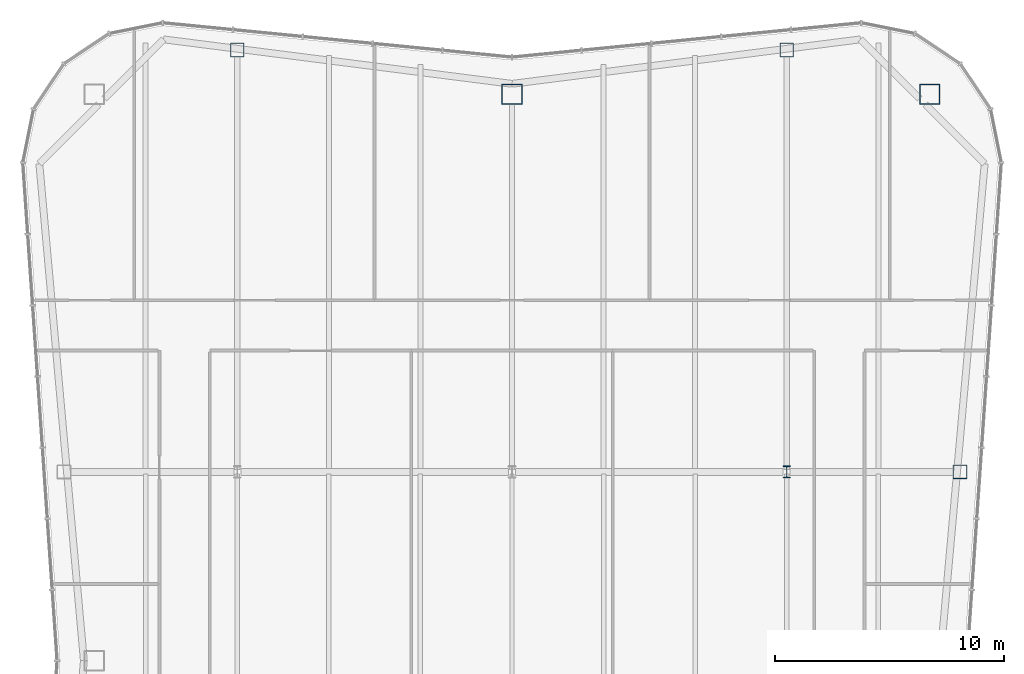
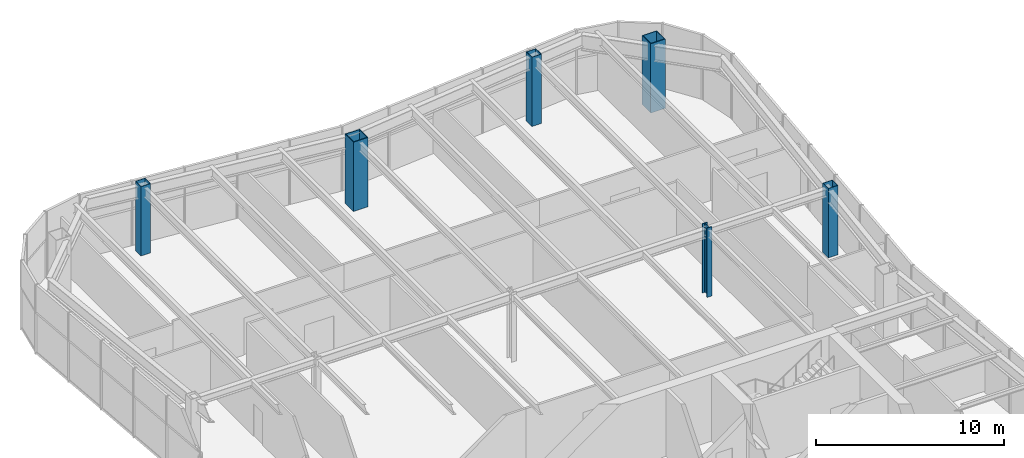
# One storey, part 2 of 13: 6 columns.
"""IFC4 building model written with IfcOpenShell, lengths in metres."""

from ifc_helpers import new_model, si_unit, direction, frame, origin, origin_2d, place, context, subcontext, project, spatial, hollow_rectangle, i_section, extrude, material, material_profile, profile_set, type_object, element, save


model = new_model("IFC4")

# Units and contexts
model_context = context("Model", 3, precision=1e-05, world=origin(), true_north=direction((0.0, 1.0)))
body_context = subcontext(model_context, "Body", "Model", "MODEL_VIEW")
ifc_project = project(units=[si_unit("LENGTHUNIT", "METRE"), si_unit("AREAUNIT", "SQUARE_METRE"), si_unit("VOLUMEUNIT", "CUBIC_METRE"), si_unit("PLANEANGLEUNIT", "RADIAN"), si_unit("MASSUNIT", "GRAM", prefix="KILO")], contexts=[model_context])

# Site, building, storey
site_placement = place(None, origin())
site = spatial("IfcSite", under=ifc_project, at=site_placement, CompositionType="ELEMENT")
building_placement = place(site_placement, origin())
building = spatial("IfcBuilding", under=site, at=building_placement, Name="Verdant Reach Tower", CompositionType="ELEMENT")
storey_placement = place(building_placement, frame((0.0, 0.0, 359.5)))
storey = spatial("IfcBuildingStorey", under=building, at=storey_placement, Name="L81 Plant", CompositionType="ELEMENT", Elevation=359.5)

# Columns
ifc_material = material(Name="Steel S460", Category="steel")
ifc_material_profile_1 = material_profile(ifc_material, i_section(OverallWidth=0.305908203125, OverallDepth=0.52392578125, WebThickness=0.012451171875, FlangeThickness=0.0400390625, FilletRadius=0.027099609375, at=origin_2d()), Name="HEM 500")
ifc_profile_set_1 = profile_set([ifc_material_profile_1], Name="Steel S460")
column_type_1 = type_object("IfcColumnType", Name="ST-COL-HEM500", PredefinedType="COLUMN", material=ifc_profile_set_1)
column_placement = place(storey_placement, frame((12.0, 49.5, 0.0), z_axis=(0.0, 0.0, 1.0), x_axis=(1.0, 0.0, 0.0)))
element("IfcColumn", 1, at=column_placement, inside=storey, type_object=column_type_1, Name="Interior column 3, L81 Plant", PredefinedType="COLUMN", context=body_context, shape_type="SweptSolid", body=[
    extrude(i_section(OverallWidth=0.305908203125, OverallDepth=0.52392578125, WebThickness=0.012451171875, FlangeThickness=0.0400390625, FilletRadius=0.027099609375, at=origin_2d()), origin(), (0.0, 0.0, 1.0), 4.5),
])
ifc_material_profile_2 = material_profile(ifc_material, hollow_rectangle(XDim=0.60009765625, YDim=0.60009765625, WallThickness=0.02490234375, at=origin_2d()), Name="WB 600x600x25")
ifc_profile_set_2 = profile_set([ifc_material_profile_2], Name="Steel S460")
column_type_2 = type_object("IfcColumnType", Name="ST-COL-WB600x600x25", PredefinedType="COLUMN", material=ifc_profile_set_2)
for number, where, z_axis, x_axis, name in (
    (2, (-12.0, 67.930419921875, 0.0), (0.0, 0.0, 1.0), (1.0, 0.0, 0.0), "Perimeter column north 1, L81 Plant"),
    (3, (12.0, 67.930419921875, 0.0), (0.0, 0.0, 1.0), (1.0, 0.0, 0.0), "Perimeter column north 2, L81 Plant"),
    (4, (19.569091796875, 49.5, 0.0), (0.0, 0.0, 1.0), (1.0, 0.0, 0.0), "Perimeter column east 2, L81 Plant"),
):
    element("IfcColumn", number, at=place(storey_placement, frame(where, z_axis=z_axis, x_axis=x_axis)), inside=storey, type_object=column_type_2, Name=name, PredefinedType="COLUMN", context=body_context, shape_type="SweptSolid", body=[
        extrude(hollow_rectangle(XDim=0.60009765625, YDim=0.60009765625, WallThickness=0.02490234375, at=origin_2d()), origin(), (0.0, 0.0, 1.0), 4.5),
    ])
ifc_material_profile_3 = material_profile(ifc_material, hollow_rectangle(XDim=0.89990234375, YDim=0.89990234375, WallThickness=0.0400390625, at=origin_2d()), Name="WB 900x900x40")
ifc_profile_set_3 = profile_set([ifc_material_profile_3], Name="Steel S460")
column_type_3 = type_object("IfcColumnType", Name="ST-COL-WB900x900x40", PredefinedType="COLUMN", material=ifc_profile_set_3)
for number, where, z_axis, x_axis, name in (
    (5, (0.0, 66.0, 0.0), (0.0, 0.0, 1.0), (1.0, 0.0, 0.0), "Mega column north, L81 Plant"),
    (6, (18.25, 66.0, 0.0), (0.0, 0.0, 1.0), (1.0, 0.0, 0.0), "Mega column north-east, L81 Plant"),
):
    element("IfcColumn", number, at=place(storey_placement, frame(where, z_axis=z_axis, x_axis=x_axis)), inside=storey, type_object=column_type_3, Name=name, PredefinedType="COLUMN", context=body_context, shape_type="SweptSolid", body=[
        extrude(hollow_rectangle(XDim=0.89990234375, YDim=0.89990234375, WallThickness=0.0400390625, at=origin_2d()), origin(), (0.0, 0.0, 1.0), 4.5),
    ])

save(model, "model.ifc")
